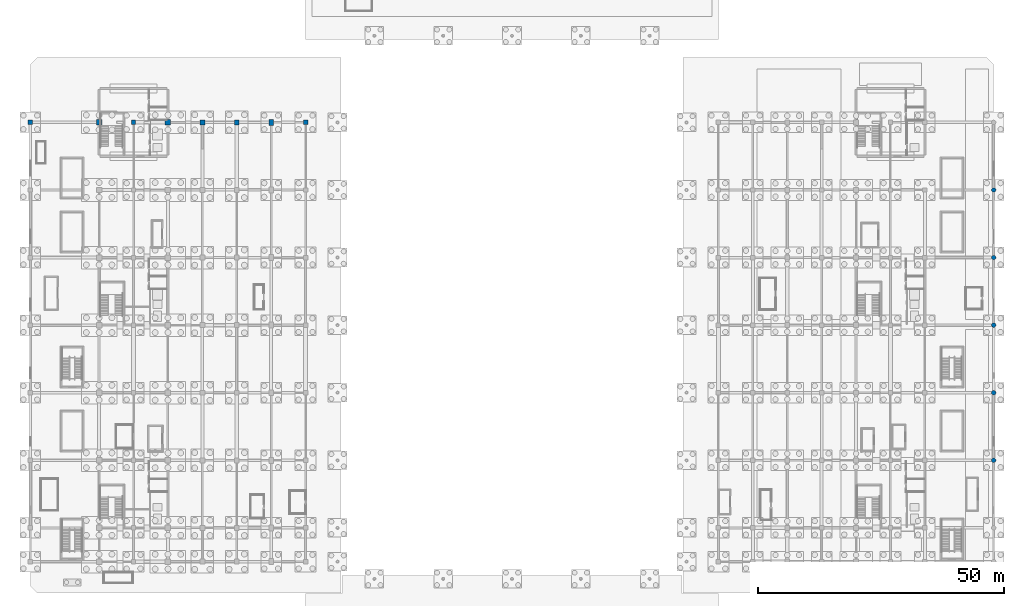
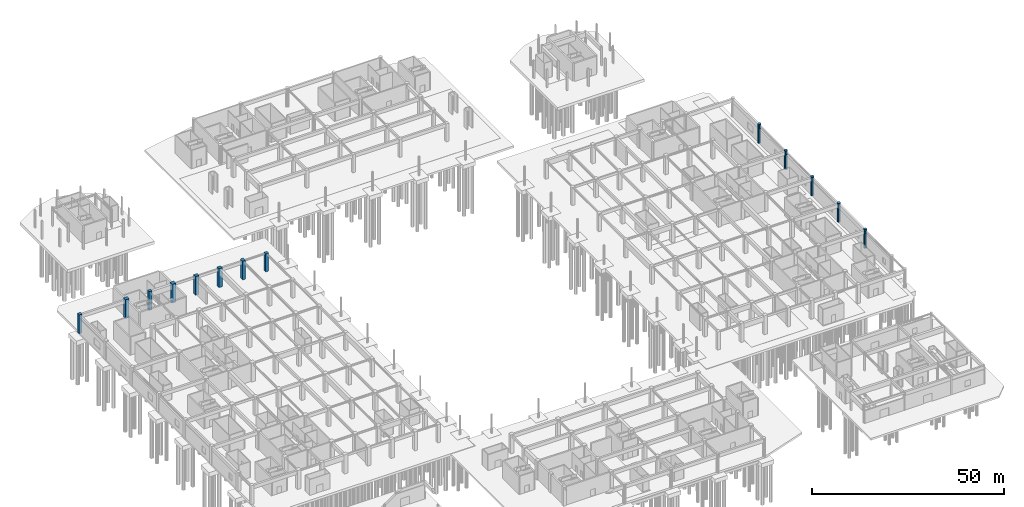
# One storey, part 22 of 62: 13 columns.
"""IFC4 building model written with IfcOpenShell, lengths in metres."""

from ifc_helpers import new_model, si_unit, direction, frame, origin, origin_2d, place, context, subcontext, project, spatial, rectangle, circle, extrude, material, material_profile, profile_set, type_object, element, save


model = new_model("IFC4")

# Units and contexts
model_context = context("Model", 3, precision=1e-05, world=origin(), true_north=direction((0.0, 1.0)))
body_context = subcontext(model_context, "Body", "Model", "MODEL_VIEW")
ifc_project = project(units=[si_unit("LENGTHUNIT", "METRE"), si_unit("AREAUNIT", "SQUARE_METRE"), si_unit("VOLUMEUNIT", "CUBIC_METRE"), si_unit("PLANEANGLEUNIT", "RADIAN"), si_unit("MASSUNIT", "GRAM", prefix="KILO")], contexts=[model_context])

# Site, building, storey
site_placement = place(None, origin())
site = spatial("IfcSite", under=ifc_project, at=site_placement, CompositionType="ELEMENT")
building_placement = place(site_placement, origin())
building = spatial("IfcBuilding", under=site, at=building_placement, Name="Linyun Crest Stadium", CompositionType="ELEMENT")
storey_placement = place(building_placement, frame((0.0, 0.0, -6.0)))
storey = spatial("IfcBuildingStorey", under=building, at=storey_placement, Name="B1", CompositionType="ELEMENT", Elevation=-6.0)

# Columns
ifc_material_1 = material(Name="Concrete C50", Category="concrete")
ifc_material_profile_1 = material_profile(ifc_material_1, rectangle(XDim=0.89990234375, YDim=0.89990234375, at=origin_2d()), Name="RC 900x900")
ifc_profile_set_1 = profile_set([ifc_material_profile_1], Name="Concrete C50")
column_type_1 = type_object("IfcColumnType", Name="C04", PredefinedType="COLUMN", material=ifc_profile_set_1)
for number, where, z_axis, x_axis, name in (
    (1, (-98.0, 43.375, 0.0), (0.0, 0.0, 1.0), (1.0, 0.0, 0.0), "Column C04 B1 43"),
    (2, (-77.0, 43.375, 0.0), (0.0, 0.0, 1.0), (1.0, 0.0, 0.0), "Column C04 B1 140"),
):
    element("IfcColumn", number, at=place(storey_placement, frame(where, z_axis=z_axis, x_axis=x_axis)), inside=storey, type_object=column_type_1, Name=name, PredefinedType="COLUMN", context=body_context, shape_type="SweptSolid", body=[
        extrude(rectangle(XDim=0.89990234375, YDim=0.89990234375, at=origin_2d()), origin(), (0.0, 0.0, 1.0), 5.998046875),
    ])
column_1_placement = place(storey_placement, frame((-42.0, 43.375, 0.0), z_axis=(0.0, 0.0, 1.0), x_axis=(1.0, 0.0, 0.0)))
element("IfcColumn", 3, at=column_1_placement, inside=storey, type_object=column_type_1, Name="Column C04 B1 296", PredefinedType="COLUMN", context=body_context, shape_type="SweptSolid", body=[
    extrude(rectangle(XDim=0.89990234375, YDim=0.89990234375, at=origin_2d()), origin(), (0.0, 0.0, 1.0), 5.75),
])
ifc_material_2 = material(Name="Concrete C50", Category="concrete")
ifc_material_profile_2 = material_profile(ifc_material_2, rectangle(XDim=1.0, YDim=1.0, at=origin_2d()), Name="RC 1000x1000")
ifc_profile_set_2 = profile_set([ifc_material_profile_2], Name="Concrete C50")
column_type_2 = type_object("IfcColumnType", Name="C05", PredefinedType="COLUMN", material=ifc_profile_set_2)
for number, where, z_axis, x_axis, name in (
    (4, (-63.0, 43.375, 0.0), (0.0, 0.0, 1.0), (1.0, 0.0, 0.0), "Column C05 B1 236"),
    (5, (-56.0, 43.375, 0.0), (0.0, 0.0, 1.0), (1.0, 0.0, 0.0), "Column C05 B1 269"),
):
    element("IfcColumn", number, at=place(storey_placement, frame(where, z_axis=z_axis, x_axis=x_axis)), inside=storey, type_object=column_type_2, Name=name, PredefinedType="COLUMN", context=body_context, shape_type="SweptSolid", body=[
        extrude(rectangle(XDim=1.0, YDim=1.0, at=origin_2d()), origin(), (0.0, 0.0, 1.0), 5.998046875),
    ])
ifc_material_3 = material(Name="Concrete C50", Category="concrete")
ifc_material_profile_3 = material_profile(ifc_material_3, rectangle(XDim=1.10009765625, YDim=1.10009765625, at=origin_2d()), Name="RC 1100x1100")
ifc_profile_set_3 = profile_set([ifc_material_profile_3], Name="Concrete C50")
column_type_3 = type_object("IfcColumnType", Name="C06", PredefinedType="COLUMN", material=ifc_profile_set_3)
for number, where, z_axis, x_axis, name in (
    (6, (-84.0, 43.375, 0.0), (0.0, 0.0, 1.0), (1.0, 0.0, 0.0), "Column C06 B1 98"),
    (7, (-70.0, 43.375, 0.0), (0.0, 0.0, 1.0), (1.0, 0.0, 0.0), "Column C06 B1 194"),
):
    element("IfcColumn", number, at=place(storey_placement, frame(where, z_axis=z_axis, x_axis=x_axis)), inside=storey, type_object=column_type_3, Name=name, PredefinedType="COLUMN", context=body_context, shape_type="SweptSolid", body=[
        extrude(rectangle(XDim=1.10009765625, YDim=1.10009765625, at=origin_2d()), origin(), (0.0, 0.0, 1.0), 5.998046875),
    ])
ifc_material_4 = material(Name="Concrete C50", Category="concrete")
ifc_material_profile_4 = material_profile(ifc_material_4, circle(Radius=0.449951171875, at=origin_2d()), Name="RC D900")
ifc_profile_set_4 = profile_set([ifc_material_profile_4], Name="Concrete C50")
column_type_4 = type_object("IfcColumnType", Name="C08", PredefinedType="COLUMN", material=ifc_profile_set_4)
for number, where, z_axis, x_axis, name in (
    (8, (98.0, -25.375, 0.0), (0.0, 0.0, 1.0), (1.0, 0.0, 0.0), "Column C08 B1 539"),
    (9, (98.0, -11.625, 0.0), (0.0, 0.0, 1.0), (1.0, 0.0, 0.0), "Column C08 B1 544"),
    (10, (98.0, 2.125, 0.0), (0.0, 0.0, 1.0), (1.0, 0.0, 0.0), "Column C08 B1 549"),
    (11, (98.0, 15.875, 0.0), (0.0, 0.0, 1.0), (1.0, 0.0, 0.0), "Column C08 B1 554"),
    (12, (98.0, 29.625, 0.0), (0.0, 0.0, 1.0), (1.0, 0.0, 0.0), "Column C08 B1 559"),
):
    element("IfcColumn", number, at=place(storey_placement, frame(where, z_axis=z_axis, x_axis=x_axis)), inside=storey, type_object=column_type_4, Name=name, PredefinedType="COLUMN", context=body_context, shape_type="SweptSolid", body=[
        extrude(circle(Radius=0.449951171875, at=origin_2d()), origin(), (0.0, 0.0, 1.0), 5.998046875),
    ])
ifc_material_5 = material(Name="Concrete C50", Category="concrete")
ifc_material_profile_5 = material_profile(ifc_material_5, rectangle(XDim=0.89990234375, YDim=1.199951171875, at=origin_2d()), Name="RC 1200x900")
ifc_profile_set_5 = profile_set([ifc_material_profile_5], Name="Concrete C50")
column_type_5 = type_object("IfcColumnType", Name="C11", PredefinedType="COLUMN", material=ifc_profile_set_5)
column_2_placement = place(storey_placement, frame((-49.0, 43.375, 0.0), z_axis=(0.0, 0.0, 1.0), x_axis=(1.0, 0.0, 0.0)))
element("IfcColumn", 13, at=column_2_placement, inside=storey, type_object=column_type_5, Name="Column C11 B1 287", PredefinedType="COLUMN", context=body_context, shape_type="SweptSolid", body=[
    extrude(rectangle(XDim=0.89990234375, YDim=1.199951171875, at=origin_2d()), origin(), (0.0, 0.0, 1.0), 5.998046875),
])

save(model, "model.ifc")
